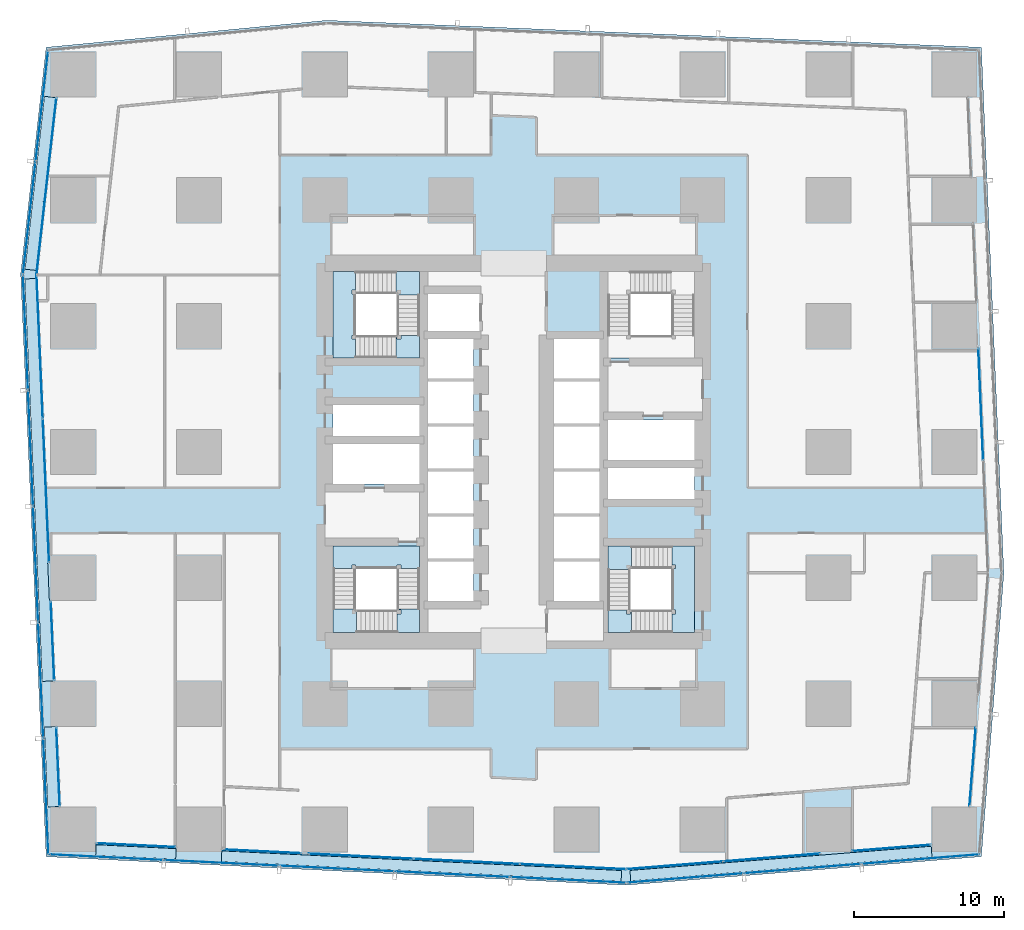
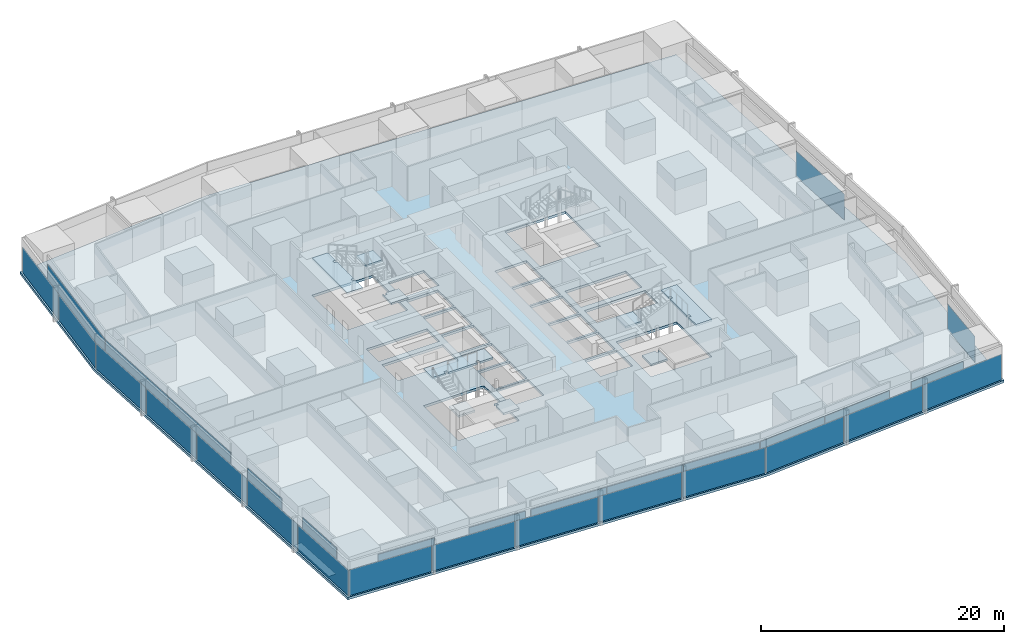
# One storey, part 30 of 45: 36 plates, 10 slabs, 18 elements without a shape of their own.
"""IFC4 building model written with IfcOpenShell, lengths in metres."""

from ifc_helpers import new_model, si_unit, direction, frame, origin, origin_2d, place, context, subcontext, project, spatial, polyline, rectangle, outline, extrude, material, layer, layer_set, type_object, element, aggregate, save


model = new_model("IFC4")

# Units and contexts
model_context = context("Model", 3, precision=1e-05, world=origin(), true_north=direction((0.0, 1.0)))
body_context = subcontext(model_context, "Body", "Model", "MODEL_VIEW")
ifc_project = project(units=[si_unit("LENGTHUNIT", "METRE"), si_unit("AREAUNIT", "SQUARE_METRE"), si_unit("VOLUMEUNIT", "CUBIC_METRE"), si_unit("PLANEANGLEUNIT", "RADIAN"), si_unit("MASSUNIT", "GRAM", prefix="KILO")], contexts=[model_context])

# Site, building, storey
site_placement = place(None, origin())
site = spatial("IfcSite", under=ifc_project, at=site_placement, CompositionType="ELEMENT")
building_placement = place(site_placement, origin())
building = spatial("IfcBuilding", under=site, at=building_placement, Name="Rekha Terrace Tower", CompositionType="ELEMENT")
storey_placement = place(building_placement, frame((0.0, 0.0, 77.89990234375)))
storey = spatial("IfcBuildingStorey", under=building, at=storey_placement, Name="L19", CompositionType="ELEMENT", Elevation=77.89990234375)

# Curtain wall, plate
ifc_material_1 = material(Name="Aluminium framing", Category="aluminium")
curtain_wall_type_1 = type_object("IfcCurtainWallType", Name="CW1 double skin inner glazing", PredefinedType="USERDEFINED", material=ifc_material_1)
curtain_wall_1_placement = place(storey_placement, origin())
curtain_wall_1 = element("IfcCurtainWall", 1, at=curtain_wall_1_placement, inside=storey, type_object=curtain_wall_type_1, Name="CW1 double skin inner glazing", ObjectType="DOUBLE SKIN INNER GLAZING", PredefinedType="USERDEFINED")
ifc_material_2 = material(Name="Double-glazed low-e unit 32", Category="glass")
ifc_layer_1 = layer(ifc_material_2, 0.031982421875)
ifc_layer_set_1 = layer_set([ifc_layer_1], Name="Double-glazed low-e unit 32")
plate_type_1 = type_object("IfcPlateType", Name="CW1 jumbo vision panel, double-glazed low-e unit 32", PredefinedType="CURTAIN_PANEL", material=ifc_layer_set_1)
plate_1_placement = place(storey_placement, frame((12.60009765625, 7.36669921875, 0.0), z_axis=(0.0, 0.0, 1.0), x_axis=(0.998796239974, -0.049051717746, 0.0)))
plate_1 = element("IfcPlate", 2, at=plate_1_placement, type_object=plate_type_1, Name="CW1 panel 1.1", PredefinedType="CURTAIN_PANEL", context=body_context, shape_type="SweptSolid", body=[
    extrude(rectangle(XDim=5.227294921875, YDim=0.031982421875, at=origin_2d()), origin(), (0.0, 0.0, 1.0), 2.60009765625),
])
aggregate(curtain_wall_1, [plate_1])

curtain_wall_2_placement = place(storey_placement, origin())
curtain_wall_2 = element("IfcCurtainWall", 3, at=curtain_wall_2_placement, inside=storey, type_object=curtain_wall_type_1, Name="CW1 double skin inner glazing", ObjectType="DOUBLE SKIN INNER GLAZING", PredefinedType="USERDEFINED")
plate_2_placement = place(storey_placement, frame((21.0, 6.9541015625, 0.0), z_axis=(0.0, 0.0, 1.0), x_axis=(0.998796239974, -0.049051717746, 0.0)))
plate_2 = element("IfcPlate", 4, at=plate_2_placement, type_object=plate_type_1, Name="CW1 panel 1.1", PredefinedType="CURTAIN_PANEL", context=body_context, shape_type="SweptSolid", body=[
    extrude(rectangle(XDim=5.227294921875, YDim=0.031982421875, at=origin_2d()), origin(), (0.0, 0.0, 1.0), 2.60009765625),
])
aggregate(curtain_wall_2, [plate_2])

# Curtain wall, plates
curtain_wall_3_placement = place(storey_placement, origin())
curtain_wall_3 = element("IfcCurtainWall", 5, at=curtain_wall_3_placement, inside=storey, type_object=curtain_wall_type_1, Name="CW1 double skin inner glazing", ObjectType="DOUBLE SKIN INNER GLAZING", PredefinedType="USERDEFINED")
plate_3_placement = place(storey_placement, frame((27.60595703125, 6.629638671875, 0.0), z_axis=(0.0, 0.0, 1.0), x_axis=(0.998796239973, -0.049051717763, 0.0)))
plate_3 = element("IfcPlate", 6, at=plate_3_placement, type_object=plate_type_1, Name="CW1 panel 1.1", PredefinedType="CURTAIN_PANEL", context=body_context, shape_type="SweptSolid", body=[
    extrude(rectangle(XDim=6.98388671875, YDim=0.031982421875, at=origin_2d()), origin(), (0.0, 0.0, 1.0), 2.60009765625),
])
plate_4_placement = place(storey_placement, frame((34.662353515625, 6.283203125, 0.0), z_axis=(0.0, 0.0, 1.0), x_axis=(0.998796239973, -0.049051717763, 0.0)))
plate_4 = element("IfcPlate", 7, at=plate_4_placement, type_object=plate_type_1, Name="CW1 panel 2.1", PredefinedType="CURTAIN_PANEL", context=body_context, shape_type="SweptSolid", body=[
    extrude(rectangle(XDim=7.016357421875, YDim=0.031982421875, at=origin_2d()), origin(), (0.0, 0.0, 1.0), 2.60009765625),
])
plate_5_placement = place(storey_placement, frame((41.75146484375, 5.93505859375, 0.0), z_axis=(0.0, 0.0, 1.0), x_axis=(0.998796239973, -0.049051717763, 0.0)))
plate_5 = element("IfcPlate", 8, at=plate_5_placement, type_object=plate_type_1, Name="CW1 panel 3.1", PredefinedType="CURTAIN_PANEL", context=body_context, shape_type="SweptSolid", body=[
    extrude(rectangle(XDim=7.048828125, YDim=0.031982421875, at=origin_2d()), origin(), (0.0, 0.0, 1.0), 2.60009765625),
])
aggregate(curtain_wall_3, [plate_3, plate_4, plate_5])

curtain_wall_4_placement = place(storey_placement, origin())
curtain_wall_4 = element("IfcCurtainWall", 9, at=curtain_wall_4_placement, inside=storey, type_object=curtain_wall_type_1, Name="CW1 double skin inner glazing", ObjectType="DOUBLE SKIN INNER GLAZING", PredefinedType="USERDEFINED")
plate_6_placement = place(storey_placement, frame((48.53759765625, 6.023681640625, 0.0), z_axis=(0.0, 0.0, 1.0), x_axis=(0.996805111821, 0.079872204468, 0.0)))
plate_6 = element("IfcPlate", 10, at=plate_6_placement, type_object=plate_type_1, Name="CW1 panel 1.1", PredefinedType="CURTAIN_PANEL", context=body_context, shape_type="SweptSolid", body=[
    extrude(rectangle(XDim=6.423095703125, YDim=0.031982421875, at=origin_2d()), origin(), (0.0, 0.0, 1.0), 2.60009765625),
])
plate_7_placement = place(storey_placement, frame((55.0048828125, 6.5419921875, 0.0), z_axis=(0.0, 0.0, 1.0), x_axis=(0.996805111821, 0.079872204468, 0.0)))
plate_7 = element("IfcPlate", 11, at=plate_7_placement, type_object=plate_type_1, Name="CW1 panel 2.1", PredefinedType="CURTAIN_PANEL", context=body_context, shape_type="SweptSolid", body=[
    extrude(rectangle(XDim=6.423095703125, YDim=0.031982421875, at=origin_2d()), origin(), (0.0, 0.0, 1.0), 2.60009765625),
])
aggregate(curtain_wall_4, [plate_6, plate_7])

# Curtain wall, plate
curtain_wall_5_placement = place(storey_placement, origin())
curtain_wall_5 = element("IfcCurtainWall", 12, at=curtain_wall_5_placement, inside=storey, type_object=curtain_wall_type_1, Name="CW1 double skin inner glazing", ObjectType="DOUBLE SKIN INNER GLAZING", PredefinedType="USERDEFINED")
plate_8_placement = place(storey_placement, frame((63.0, 7.1826171875, 0.0), z_axis=(0.0, 0.0, 1.0), x_axis=(0.996805111826, 0.079872204416, 0.0)))
plate_8 = element("IfcPlate", 13, at=plate_8_placement, type_object=plate_type_1, Name="CW1 panel 1.1", PredefinedType="CURTAIN_PANEL", context=body_context, shape_type="SweptSolid", body=[
    extrude(rectangle(XDim=5.232177734375, YDim=0.031982421875, at=origin_2d()), origin(), (0.0, 0.0, 1.0), 2.60009765625),
])
aggregate(curtain_wall_5, [plate_8])

curtain_wall_6_placement = place(storey_placement, origin())
curtain_wall_6 = element("IfcCurtainWall", 14, at=curtain_wall_6_placement, inside=storey, type_object=curtain_wall_type_1, Name="CW1 double skin inner glazing", ObjectType="DOUBLE SKIN INNER GLAZING", PredefinedType="USERDEFINED")
plate_9_placement = place(storey_placement, frame((68.412841796875, 12.60009765625, 0.0), z_axis=(0.0, 0.0, 1.0), x_axis=(0.079116301, 0.996865392576, 0.0)))
plate_9 = element("IfcPlate", 15, at=plate_9_placement, type_object=plate_type_1, Name="CW1 panel 1.1", PredefinedType="CURTAIN_PANEL", context=body_context, shape_type="SweptSolid", body=[
    extrude(rectangle(XDim=5.23193359375, YDim=0.031982421875, at=origin_2d()), origin(), (0.0, 0.0, 1.0), 2.60009765625),
])
aggregate(curtain_wall_6, [plate_9])

curtain_wall_7_placement = place(storey_placement, origin())
curtain_wall_7 = element("IfcCurtainWall", 16, at=curtain_wall_7_placement, inside=storey, type_object=curtain_wall_type_1, Name="CW1 double skin inner glazing", ObjectType="DOUBLE SKIN INNER GLAZING", PredefinedType="USERDEFINED")
plate_10_placement = place(storey_placement, frame((68.95703125, 36.77783203125, 0.0), z_axis=(0.0, 0.0, 1.0), x_axis=(-0.042696072921, 0.999088106904, 0.0)))
plate_10 = element("IfcPlate", 17, at=plate_10_placement, type_object=plate_type_1, Name="CW1 panel 2.1", PredefinedType="CURTAIN_PANEL", context=body_context, shape_type="SweptSolid", body=[
    extrude(rectangle(XDim=7.42578125, YDim=0.031982421875, at=origin_2d()), origin(), (0.0, 0.0, 1.0), 2.60009765625),
])
aggregate(curtain_wall_7, [plate_10])

curtain_wall_8_placement = place(storey_placement, origin())
curtain_wall_8 = element("IfcCurtainWall", 18, at=curtain_wall_8_placement, inside=storey, type_object=curtain_wall_type_1, Name="CW1 double skin inner glazing", ObjectType="DOUBLE SKIN INNER GLAZING", PredefinedType="USERDEFINED")
plate_11_placement = place(storey_placement, frame((6.623779296875, 51.32421875, 0.0), z_axis=(0.0, 0.0, 1.0), x_axis=(-0.111729870748, -0.993738615524, 0.0)))
plate_11 = element("IfcPlate", 19, at=plate_11_placement, type_object=plate_type_1, Name="CW1 panel 1.1", PredefinedType="CURTAIN_PANEL", context=body_context, shape_type="SweptSolid", body=[
    extrude(rectangle(XDim=11.835205078125, YDim=0.031982421875, at=origin_2d()), origin(), (0.0, 0.0, 1.0), 2.60009765625),
])
aggregate(curtain_wall_8, [plate_11])

# Curtain wall, plates
curtain_wall_9_placement = place(storey_placement, origin())
curtain_wall_9 = element("IfcCurtainWall", 20, at=curtain_wall_9_placement, inside=storey, type_object=curtain_wall_type_1, Name="CW1 double skin inner glazing", ObjectType="DOUBLE SKIN INNER GLAZING", PredefinedType="USERDEFINED")
plate_12_placement = place(storey_placement, frame((6.173828125, 40.615478515625, 0.0), z_axis=(0.0, 0.0, 1.0), x_axis=(0.04368254332, -0.999045462133, 0.0)))
plate_12 = element("IfcPlate", 21, at=plate_12_placement, type_object=plate_type_1, Name="CW1 panel 1.1", PredefinedType="CURTAIN_PANEL", context=body_context, shape_type="SweptSolid", body=[
    extrude(rectangle(XDim=9.535888671875, YDim=0.031982421875, at=origin_2d()), origin(), (0.0, 0.0, 1.0), 2.60009765625),
])
plate_13_placement = place(storey_placement, frame((6.593017578125, 31.023681640625, 0.0), z_axis=(0.0, 0.0, 1.0), x_axis=(0.04368254332, -0.999045462133, 0.0)))
plate_13 = element("IfcPlate", 22, at=plate_13_placement, type_object=plate_type_1, Name="CW1 panel 2.1", PredefinedType="CURTAIN_PANEL", context=body_context, shape_type="SweptSolid", body=[
    extrude(rectangle(XDim=9.535888671875, YDim=0.031982421875, at=origin_2d()), origin(), (0.0, 0.0, 1.0), 2.60009765625),
])
aggregate(curtain_wall_9, [plate_12, plate_13])

# Curtain wall, plate
curtain_wall_10_placement = place(storey_placement, origin())
curtain_wall_10 = element("IfcCurtainWall", 23, at=curtain_wall_10_placement, inside=storey, type_object=curtain_wall_type_1, Name="CW1 double skin inner glazing", ObjectType="DOUBLE SKIN INNER GLAZING", PredefinedType="USERDEFINED")
plate_14_placement = place(storey_placement, frame((7.031494140625, 21.0, 0.0), z_axis=(0.0, 0.0, 1.0), x_axis=(0.043682543407, -0.999045462129, 0.0)))
plate_14 = element("IfcPlate", 24, at=plate_14_placement, type_object=plate_type_1, Name="CW1 panel 1.1", PredefinedType="CURTAIN_PANEL", context=body_context, shape_type="SweptSolid", body=[
    extrude(rectangle(XDim=5.226806640625, YDim=0.031982421875, at=origin_2d()), origin(), (0.0, 0.0, 1.0), 2.60009765625),
])
aggregate(curtain_wall_10, [plate_14])

curtain_wall_11_placement = place(storey_placement, origin())
curtain_wall_11 = element("IfcCurtainWall", 25, at=curtain_wall_11_placement, inside=storey, type_object=curtain_wall_type_1, Name="CW1 double skin inner glazing", ObjectType="DOUBLE SKIN INNER GLAZING", PredefinedType="USERDEFINED")
plate_15_placement = place(storey_placement, frame((7.398681640625, 12.60009765625, 0.0), z_axis=(0.0, 0.0, 1.0), x_axis=(0.043682543407, -0.999045462129, 0.0)))
plate_15 = element("IfcPlate", 26, at=plate_15_placement, type_object=plate_type_1, Name="CW1 panel 1.1", PredefinedType="CURTAIN_PANEL", context=body_context, shape_type="SweptSolid", body=[
    extrude(rectangle(XDim=5.226806640625, YDim=0.031982421875, at=origin_2d()), origin(), (0.0, 0.0, 1.0), 2.60009765625),
])
aggregate(curtain_wall_11, [plate_15])

# Curtain wall, plates
curtain_wall_type_2 = type_object("IfcCurtainWallType", Name="CW2 double skin outer glazing", PredefinedType="USERDEFINED", material=ifc_material_1)
curtain_wall_12_placement = place(storey_placement, origin())
curtain_wall_12 = element("IfcCurtainWall", 27, at=curtain_wall_12_placement, inside=storey, type_object=curtain_wall_type_2, Name="CW2 double skin outer glazing", ObjectType="DOUBLE SKIN OUTER GLAZING", PredefinedType="USERDEFINED")
ifc_material_3 = material(Name="Toughened single glazing 12", Category="glass")
ifc_layer_2 = layer(ifc_material_3, 0.011962890625)
ifc_layer_set_2 = layer_set([ifc_layer_2], Name="Toughened single glazing 12")
plate_type_2 = type_object("IfcPlateType", Name="CW2 jumbo vision panel, toughened single glazing 12", PredefinedType="CURTAIN_PANEL", material=ifc_layer_set_2)
plate_16_placement = place(storey_placement, frame((10.626708984375, 6.5625, 0.0), z_axis=(0.0, 0.0, 1.0), x_axis=(0.998796239974, -0.049051717746, 0.0)))
plate_16 = element("IfcPlate", 28, at=plate_16_placement, type_object=plate_type_2, Name="CW2 panel 1.1", PredefinedType="CURTAIN_PANEL", context=body_context, shape_type="SweptSolid", body=[
    extrude(rectangle(XDim=7.595703125, YDim=0.011962890625, at=origin_2d()), origin(), (0.0, 0.0, 1.0), 2.60009765625),
])
plate_17_placement = place(storey_placement, frame((18.31298828125, 6.18505859375, 0.0), z_axis=(0.0, 0.0, 1.0), x_axis=(0.998796239974, -0.049051717746, 0.0)))
plate_17 = element("IfcPlate", 29, at=plate_17_placement, type_object=plate_type_2, Name="CW2 panel 2.1", PredefinedType="CURTAIN_PANEL", context=body_context, shape_type="SweptSolid", body=[
    extrude(rectangle(XDim=7.6357421875, YDim=0.011962890625, at=origin_2d()), origin(), (0.0, 0.0, 1.0), 2.60009765625),
])
plate_18_placement = place(storey_placement, frame((26.01953125, 5.806396484375, 0.0), z_axis=(0.0, 0.0, 1.0), x_axis=(0.998796239974, -0.049051717746, 0.0)))
plate_18 = element("IfcPlate", 30, at=plate_18_placement, type_object=plate_type_2, Name="CW2 panel 3.1", PredefinedType="CURTAIN_PANEL", context=body_context, shape_type="SweptSolid", body=[
    extrude(rectangle(XDim=7.6357421875, YDim=0.011962890625, at=origin_2d()), origin(), (0.0, 0.0, 1.0), 2.60009765625),
])
plate_19_placement = place(storey_placement, frame((33.725830078125, 5.427978515625, 0.0), z_axis=(0.0, 0.0, 1.0), x_axis=(0.998796239974, -0.049051717746, 0.0)))
plate_19 = element("IfcPlate", 31, at=plate_19_placement, type_object=plate_type_2, Name="CW2 panel 4.1", PredefinedType="CURTAIN_PANEL", context=body_context, shape_type="SweptSolid", body=[
    extrude(rectangle(XDim=7.6357421875, YDim=0.011962890625, at=origin_2d()), origin(), (0.0, 0.0, 1.0), 2.60009765625),
])
plate_20_placement = place(storey_placement, frame((41.452392578125, 5.048583984375, 0.0), z_axis=(0.0, 0.0, 1.0), x_axis=(0.998796239974, -0.049051717746, 0.0)))
plate_20 = element("IfcPlate", 32, at=plate_20_placement, type_object=plate_type_2, Name="CW2 panel 5.1", PredefinedType="CURTAIN_PANEL", context=body_context, shape_type="SweptSolid", body=[
    extrude(rectangle(XDim=7.67578125, YDim=0.011962890625, at=origin_2d()), origin(), (0.0, 0.0, 1.0), 2.60009765625),
])
aggregate(curtain_wall_12, [plate_16, plate_17, plate_18, plate_19, plate_20])

curtain_wall_13_placement = place(storey_placement, origin())
curtain_wall_13 = element("IfcCurtainWall", 33, at=curtain_wall_13_placement, inside=storey, type_object=curtain_wall_type_2, Name="CW2 double skin outer glazing", ObjectType="DOUBLE SKIN OUTER GLAZING", PredefinedType="USERDEFINED")
plate_21_placement = place(storey_placement, frame((49.233154296875, 5.176513671875, 0.0), z_axis=(0.0, 0.0, 1.0), x_axis=(0.996805111821, 0.079872204468, 0.0)))
plate_21 = element("IfcPlate", 34, at=plate_21_placement, type_object=plate_type_2, Name="CW2 panel 1.1", PredefinedType="CURTAIN_PANEL", context=body_context, shape_type="SweptSolid", body=[
    extrude(rectangle(XDim=7.760498046875, YDim=0.011962890625, at=origin_2d()), origin(), (0.0, 0.0, 1.0), 2.60009765625),
])
plate_22_placement = place(storey_placement, frame((57.068359375, 5.804443359375, 0.0), z_axis=(0.0, 0.0, 1.0), x_axis=(0.996805111821, 0.079872204468, 0.0)))
plate_22 = element("IfcPlate", 35, at=plate_22_placement, type_object=plate_type_2, Name="CW2 panel 2.1", PredefinedType="CURTAIN_PANEL", context=body_context, shape_type="SweptSolid", body=[
    extrude(rectangle(XDim=7.800537109375, YDim=0.011962890625, at=origin_2d()), origin(), (0.0, 0.0, 1.0), 2.60009765625),
])
plate_23_placement = place(storey_placement, frame((64.943603515625, 6.435546875, 0.0), z_axis=(0.0, 0.0, 1.0), x_axis=(0.996805111821, 0.079872204468, 0.0)))
plate_23 = element("IfcPlate", 36, at=plate_23_placement, type_object=plate_type_2, Name="CW2 panel 3.1", PredefinedType="CURTAIN_PANEL", context=body_context, shape_type="SweptSolid", body=[
    extrude(rectangle(XDim=7.84033203125, YDim=0.011962890625, at=origin_2d()), origin(), (0.0, 0.0, 1.0), 2.60009765625),
])
aggregate(curtain_wall_13, [plate_21, plate_22, plate_23])

curtain_wall_14_placement = place(storey_placement, origin())
curtain_wall_14 = element("IfcCurtainWall", 37, at=curtain_wall_14_placement, inside=storey, type_object=curtain_wall_type_2, Name="CW2 double skin outer glazing", ObjectType="DOUBLE SKIN OUTER GLAZING", PredefinedType="USERDEFINED")
plate_24_placement = place(storey_placement, frame((6.3212890625, 56.688720703125, 0.0), z_axis=(0.0, 0.0, 1.0), x_axis=(-0.111729870782, -0.99373861552, 0.0)))
plate_24 = element("IfcPlate", 38, at=plate_24_placement, type_object=plate_type_2, Name="CW2 panel 1.1", PredefinedType="CURTAIN_PANEL", context=body_context, shape_type="SweptSolid", body=[
    extrude(rectangle(XDim=7.41650390625, YDim=0.011962890625, at=origin_2d()), origin(), (0.0, 0.0, 1.0), 2.60009765625),
])
plate_25_placement = place(storey_placement, frame((5.479248046875, 49.19921875, 0.0), z_axis=(0.0, 0.0, 1.0), x_axis=(-0.111729870782, -0.99373861552, 0.0)))
plate_25 = element("IfcPlate", 39, at=plate_25_placement, type_object=plate_type_2, Name="CW2 panel 2.1", PredefinedType="CURTAIN_PANEL", context=body_context, shape_type="SweptSolid", body=[
    extrude(rectangle(XDim=7.49658203125, YDim=0.011962890625, at=origin_2d()), origin(), (0.0, 0.0, 1.0), 2.60009765625),
])
aggregate(curtain_wall_14, [plate_24, plate_25])

curtain_wall_15_placement = place(storey_placement, origin())
curtain_wall_15 = element("IfcCurtainWall", 40, at=curtain_wall_15_placement, inside=storey, type_object=curtain_wall_type_2, Name="CW2 double skin outer glazing", ObjectType="DOUBLE SKIN OUTER GLAZING", PredefinedType="USERDEFINED")
plate_26_placement = place(storey_placement, frame((5.23046875, 41.582275390625, 0.0), z_axis=(0.0, 0.0, 1.0), x_axis=(0.043682543372, -0.999045462131, 0.0)))
plate_26 = element("IfcPlate", 41, at=plate_26_placement, type_object=plate_type_2, Name="CW2 panel 1.1", PredefinedType="CURTAIN_PANEL", context=body_context, shape_type="SweptSolid", body=[
    extrude(rectangle(XDim=7.6318359375, YDim=0.011962890625, at=origin_2d()), origin(), (0.0, 0.0, 1.0), 2.60009765625),
])
plate_27_placement = place(storey_placement, frame((5.568359375, 33.85791015625, 0.0), z_axis=(0.0, 0.0, 1.0), x_axis=(0.043682543372, -0.999045462131, 0.0)))
plate_27 = element("IfcPlate", 42, at=plate_27_placement, type_object=plate_type_2, Name="CW2 panel 2.1", PredefinedType="CURTAIN_PANEL", context=body_context, shape_type="SweptSolid", body=[
    extrude(rectangle(XDim=7.671875, YDim=0.011962890625, at=origin_2d()), origin(), (0.0, 0.0, 1.0), 2.60009765625),
])
plate_28_placement = place(storey_placement, frame((5.906982421875, 26.113525390625, 0.0), z_axis=(0.0, 0.0, 1.0), x_axis=(0.043682543372, -0.999045462131, 0.0)))
plate_28 = element("IfcPlate", 43, at=plate_28_placement, type_object=plate_type_2, Name="CW2 panel 3.1", PredefinedType="CURTAIN_PANEL", context=body_context, shape_type="SweptSolid", body=[
    extrude(rectangle(XDim=7.671875, YDim=0.011962890625, at=origin_2d()), origin(), (0.0, 0.0, 1.0), 2.60009765625),
])
plate_29_placement = place(storey_placement, frame((6.24560546875, 18.369140625, 0.0), z_axis=(0.0, 0.0, 1.0), x_axis=(0.043682543372, -0.999045462131, 0.0)))
plate_29 = element("IfcPlate", 44, at=plate_29_placement, type_object=plate_type_2, Name="CW2 panel 4.1", PredefinedType="CURTAIN_PANEL", context=body_context, shape_type="SweptSolid", body=[
    extrude(rectangle(XDim=7.671875, YDim=0.011962890625, at=origin_2d()), origin(), (0.0, 0.0, 1.0), 2.60009765625),
])
plate_30_placement = place(storey_placement, frame((6.5849609375, 10.60498046875, 0.0), z_axis=(0.0, 0.0, 1.0), x_axis=(0.043682543372, -0.999045462131, 0.0)))
plate_30 = element("IfcPlate", 45, at=plate_30_placement, type_object=plate_type_2, Name="CW2 panel 5.1", PredefinedType="CURTAIN_PANEL", context=body_context, shape_type="SweptSolid", body=[
    extrude(rectangle(XDim=7.711669921875, YDim=0.011962890625, at=origin_2d()), origin(), (0.0, 0.0, 1.0), 2.60009765625),
])
aggregate(curtain_wall_15, [plate_26, plate_27, plate_28, plate_29, plate_30])

# Plates
ifc_material_4 = material(Name="Galvanised steel open grating", Category="steel")
ifc_layer_3 = layer(ifc_material_4, 0.050048828125)
ifc_layer_set_3 = layer_set([ifc_layer_3], Name="Galvanised steel open grating")
plate_type_3 = type_object("IfcPlateType", Name="GT1 cavity walkway grating 50", PredefinedType="USERDEFINED", material=ifc_layer_set_3)
plate_31_placement = place(storey_placement, frame((12.594482421875, 6.916259765625, 0.0), z_axis=(0.0, 0.0, 1.0), x_axis=(0.998796239974, -0.049051717746, 0.0)))
element("IfcPlate", 46, at=plate_31_placement, inside=storey, type_object=plate_type_3, Name="Cavity walkway grating", ObjectType="CAVITY WALKWAY GRATING", PredefinedType="USERDEFINED", context=body_context, shape_type="SweptSolid", body=[
    extrude(rectangle(XDim=5.3408203125, YDim=0.705078125, at=origin_2d()), origin(), (0.0, 0.0, 1.0), 0.050048828125),
])
plate_32_placement = place(storey_placement, frame((31.64306640625, 5.98095703125, 0.0), z_axis=(0.0, 0.0, 1.0), x_axis=(0.998796239974, -0.049051717746, 0.0)))
element("IfcPlate", 47, at=plate_32_placement, inside=storey, type_object=plate_type_3, Name="Cavity walkway grating", ObjectType="CAVITY WALKWAY GRATING", PredefinedType="USERDEFINED", context=body_context, shape_type="SweptSolid", body=[
    extrude(rectangle(XDim=26.7041015625, YDim=0.705078125, at=origin_2d()), origin(), (0.0, 0.0, 1.0), 0.050048828125),
])
plate_33_placement = place(storey_placement, frame((55.626953125, 6.140380859375, 0.0), z_axis=(0.0, 0.0, 1.0), x_axis=(0.996805111821, 0.079872204468, 0.0)))
element("IfcPlate", 48, at=plate_33_placement, inside=storey, type_object=plate_type_3, Name="Cavity walkway grating", ObjectType="CAVITY WALKWAY GRATING", PredefinedType="USERDEFINED", context=body_context, shape_type="SweptSolid", body=[
    extrude(rectangle(XDim=20.1630859375, YDim=0.705078125, at=origin_2d()), origin(), (0.0, 0.0, 1.0), 0.050048828125),
])
plate_34_placement = place(storey_placement, frame((6.193115234375, 51.52197265625, 0.0), z_axis=(0.0, 0.0, 1.0), x_axis=(-0.1117298708, -0.993738615518, 0.0)))
element("IfcPlate", 49, at=plate_34_placement, inside=storey, type_object=plate_type_3, Name="Cavity walkway grating", ObjectType="CAVITY WALKWAY GRATING", PredefinedType="USERDEFINED", context=body_context, shape_type="SweptSolid", body=[
    extrude(rectangle(XDim=11.601806640625, YDim=0.705078125, at=origin_2d()), origin(), (0.0, 0.0, 1.0), 0.050048828125),
])
plate_35_placement = place(storey_placement, frame((6.111572265625, 31.7353515625, 0.0), z_axis=(0.0, 0.0, 1.0), x_axis=(0.043682543355, -0.999045462132, 0.0)))
element("IfcPlate", 50, at=plate_35_placement, inside=storey, type_object=plate_type_3, Name="Cavity walkway grating", ObjectType="CAVITY WALKWAY GRATING", PredefinedType="USERDEFINED", context=body_context, shape_type="SweptSolid", body=[
    extrude(rectangle(XDim=26.873779296875, YDim=0.705078125, at=origin_2d()), origin(), (0.0, 0.0, 1.0), 0.050048828125),
])
plate_36_placement = place(storey_placement, frame((6.948486328125, 12.595458984375, 0.0), z_axis=(0.0, 0.0, 1.0), x_axis=(0.043682543355, -0.999045462132, 0.0)))
element("IfcPlate", 51, at=plate_36_placement, inside=storey, type_object=plate_type_3, Name="Cavity walkway grating", ObjectType="CAVITY WALKWAY GRATING", PredefinedType="USERDEFINED", context=body_context, shape_type="SweptSolid", body=[
    extrude(rectangle(XDim=5.341552734375, YDim=0.705078125, at=origin_2d()), origin(), (0.0, 0.0, 1.0), 0.050048828125),
])

# Stair, slabs
ifc_material_5 = material(Name="Concrete M40", Category="concrete")
stair_type = type_object("IfcStairType", Name="ST30 stair, 30 risers of 125, going 300, 1500 wide flights, 3 flights", PredefinedType="HALF_TURN_STAIR", material=ifc_material_5)
stair_1_placement = place(storey_placement, origin())
stair_1 = element("IfcStair", 52, at=stair_1_placement, inside=storey, type_object=stair_type, Name="Stair ST1 L19 to L20", PredefinedType="HALF_TURN_STAIR")
ifc_layer_4 = layer(ifc_material_5, 0.199951171875)
ifc_layer_set_4 = layer_set([ifc_layer_4], Name="Concrete M40")
slab_type_1 = type_object("IfcSlabType", Name="LD1 200 concrete stair landing", PredefinedType="LANDING", material=ifc_layer_set_4)
slab_1_placement = place(storey_placement, frame((0.0, 0.0, 1.050048828125)))
slab_1 = element("IfcSlab", 53, at=slab_1_placement, type_object=slab_type_1, Name="ST1 landing 1", PredefinedType="LANDING", context=body_context, shape_type="SweptSolid", body=[
    extrude(outline(polyline([(30.02490234375, 21.550048828125), (31.52490234375, 21.550048828125), (31.52490234375, 23.125), (30.02490234375, 23.125), (30.02490234375, 23.050048828125), (30.27490234375, 23.050048828125), (30.27490234375, 22.800048828125), (30.02490234375, 22.800048828125), (30.02490234375, 21.550048828125)])), origin(), (0.0, 0.0, 1.0), 0.199951171875),
])
slab_2_placement = place(storey_placement, frame((0.0, 0.0, 2.300048828125)))
slab_2 = element("IfcSlab", 54, at=slab_2_placement, type_object=slab_type_1, Name="ST1 landing 2", PredefinedType="LANDING", context=body_context, shape_type="SweptSolid", body=[
    extrude(outline(polyline([(27.25, 23.125), (25.75, 23.125), (25.75, 21.550048828125), (27.324951171875, 21.550048828125), (27.324951171875, 23.050048828125), (27.25, 23.050048828125), (27.25, 23.125)])), origin(), (0.0, 0.0, 1.0), 0.199951171875),
])
slab_3_placement = place(storey_placement, frame((0.0, 0.0, 3.550048828125)))
slab_3 = element("IfcSlab", 55, at=slab_3_placement, type_object=slab_type_1, Name="ST1 landing 3", PredefinedType="LANDING", context=body_context, shape_type="SweptSolid", body=[
    extrude(outline(polyline([(31.52490234375, 25.824951171875), (31.52490234375, 27.324951171875), (25.75, 27.324951171875), (25.75, 25.824951171875), (27.0, 25.824951171875), (27.0, 26.074951171875), (27.25, 26.074951171875), (27.25, 25.824951171875), (30.02490234375, 25.824951171875), (30.02490234375, 26.074951171875), (30.27490234375, 26.074951171875), (30.27490234375, 25.824951171875), (31.52490234375, 25.824951171875)])), origin(), (0.0, 0.0, 1.0), 0.199951171875),
])
aggregate(stair_1, [slab_1, slab_2, slab_3])

stair_2_placement = place(storey_placement, origin())
stair_2 = element("IfcStair", 56, at=stair_2_placement, inside=storey, type_object=stair_type, Name="Stair ST3 L19 to L20", PredefinedType="HALF_TURN_STAIR")
slab_4_placement = place(storey_placement, frame((0.0, 0.0, 1.050048828125)))
slab_4 = element("IfcSlab", 57, at=slab_4_placement, type_object=slab_type_1, Name="ST3 landing 1", PredefinedType="LANDING", context=body_context, shape_type="SweptSolid", body=[
    extrude(outline(polyline([(44.074951171875, 23.050048828125), (44.074951171875, 21.550048828125), (45.64990234375, 21.550048828125), (45.64990234375, 23.050048828125), (45.574951171875, 23.050048828125), (45.574951171875, 22.800048828125), (45.324951171875, 22.800048828125), (45.324951171875, 23.050048828125), (44.074951171875, 23.050048828125)])), origin(), (0.0, 0.0, 1.0), 0.199951171875),
])
slab_5_placement = place(storey_placement, frame((0.0, 0.0, 2.300048828125)))
slab_5 = element("IfcSlab", 58, at=slab_5_placement, type_object=slab_type_1, Name="ST3 landing 2", PredefinedType="LANDING", context=body_context, shape_type="SweptSolid", body=[
    extrude(outline(polyline([(45.64990234375, 25.824951171875), (45.64990234375, 27.324951171875), (44.074951171875, 27.324951171875), (44.074951171875, 25.75), (45.574951171875, 25.75), (45.574951171875, 25.824951171875), (45.64990234375, 25.824951171875)])), origin(), (0.0, 0.0, 1.0), 0.199951171875),
])
slab_6_placement = place(storey_placement, frame((0.0, 0.0, 3.550048828125)))
slab_6 = element("IfcSlab", 59, at=slab_6_placement, type_object=slab_type_1, Name="ST3 landing 3", PredefinedType="LANDING", context=body_context, shape_type="SweptSolid", body=[
    extrude(outline(polyline([(48.35009765625, 21.550048828125), (49.85009765625, 21.550048828125), (49.85009765625, 27.324951171875), (48.35009765625, 27.324951171875), (48.35009765625, 26.074951171875), (48.60009765625, 26.074951171875), (48.60009765625, 25.824951171875), (48.35009765625, 25.824951171875), (48.35009765625, 23.050048828125), (48.60009765625, 23.050048828125), (48.60009765625, 22.800048828125), (48.35009765625, 22.800048828125), (48.35009765625, 21.550048828125)])), origin(), (0.0, 0.0, 1.0), 0.199951171875),
])
aggregate(stair_2, [slab_4, slab_5, slab_6])

stair_3_placement = place(storey_placement, origin())
stair_3 = element("IfcStair", 60, at=stair_3_placement, inside=storey, type_object=stair_type, Name="Stair ST4 L19 to L20", PredefinedType="HALF_TURN_STAIR")
slab_7_placement = place(storey_placement, frame((0.0, 0.0, 1.050048828125)))
slab_7 = element("IfcSlab", 61, at=slab_7_placement, type_object=slab_type_1, Name="ST4 landing 1", PredefinedType="LANDING", context=body_context, shape_type="SweptSolid", body=[
    extrude(outline(polyline([(31.52490234375, 41.375), (31.52490234375, 39.875), (29.949951171875, 39.875), (29.949951171875, 41.375), (30.02490234375, 41.375), (30.02490234375, 41.125), (30.27490234375, 41.125), (30.27490234375, 41.375), (31.52490234375, 41.375)])), origin(), (0.0, 0.0, 1.0), 0.199951171875),
])
slab_8_placement = place(storey_placement, frame((0.0, 0.0, 2.300048828125)))
slab_8 = element("IfcSlab", 62, at=slab_8_placement, type_object=slab_type_1, Name="ST4 landing 2", PredefinedType="LANDING", context=body_context, shape_type="SweptSolid", body=[
    extrude(outline(polyline([(29.949951171875, 44.14990234375), (29.949951171875, 45.64990234375), (31.52490234375, 45.64990234375), (31.52490234375, 44.074951171875), (30.02490234375, 44.074951171875), (30.02490234375, 44.14990234375), (29.949951171875, 44.14990234375)])), origin(), (0.0, 0.0, 1.0), 0.199951171875),
])
slab_9_placement = place(storey_placement, frame((0.0, 0.0, 3.550048828125)))
slab_9 = element("IfcSlab", 63, at=slab_9_placement, type_object=slab_type_1, Name="ST4 landing 3", PredefinedType="LANDING", context=body_context, shape_type="SweptSolid", body=[
    extrude(outline(polyline([(27.25, 39.875), (25.75, 39.875), (25.75, 45.64990234375), (27.25, 45.64990234375), (27.25, 44.39990234375), (27.0, 44.39990234375), (27.0, 44.14990234375), (27.25, 44.14990234375), (27.25, 41.375), (27.0, 41.375), (27.0, 41.125), (27.25, 41.125), (27.25, 39.875)])), origin(), (0.0, 0.0, 1.0), 0.199951171875),
])
aggregate(stair_3, [slab_7, slab_8, slab_9])

# Slab
ifc_material_6 = material(Name="Concrete M50", Category="concrete")
ifc_layer_5 = layer(ifc_material_6, 0.25)
ifc_layer_set_5 = layer_set([ifc_layer_5], Name="Concrete M50")
slab_type_2 = type_object("IfcSlabType", Name="SL4 250 post-tensioned flat plate", PredefinedType="FLOOR", material=ifc_layer_set_5)
slab_10_placement = place(storey_placement, frame((0.0, 0.0, -0.25)))
element("IfcSlab", 64, at=slab_10_placement, inside=storey, type_object=slab_type_2, Name="Post-tensioned flat plate L19", PredefinedType="FLOOR", context=body_context, shape_type="SweptSolid", body=[
    extrude(outline(polyline([(4.89990234375, 45.47998046875), (6.60009765625, 6.60009765625), (45.2880859375, 4.699951171875), (69.0, 6.60009765625), (70.5, 25.5), (69.0, 60.60009765625), (25.320068359375, 62.39990234375), (6.60009765625, 60.60009765625), (4.89990234375, 45.47998046875)]), holes=[polyline([(31.52490234375, 27.324951171875), (31.52490234375, 21.550048828125), (25.75, 21.550048828125), (25.75, 27.324951171875), (31.52490234375, 27.324951171875)]), polyline([(35.10009765625, 26.300048828125), (35.10009765625, 23.675048828125), (32.074951171875, 23.675048828125), (32.074951171875, 26.300048828125), (35.10009765625, 26.300048828125)]), polyline([(35.10009765625, 29.300048828125), (35.10009765625, 26.5), (32.074951171875, 26.5), (32.074951171875, 29.300048828125), (35.10009765625, 29.300048828125)]), polyline([(35.10009765625, 29.5), (32.074951171875, 29.5), (32.074951171875, 32.300048828125), (35.10009765625, 32.300048828125), (35.10009765625, 29.5)]), polyline([(31.52490234375, 31.47509765625), (25.75, 31.47509765625), (25.75, 34.125), (31.52490234375, 34.125), (31.52490234375, 31.47509765625)]), polyline([(35.10009765625, 35.300048828125), (35.10009765625, 32.5), (32.074951171875, 32.5), (32.074951171875, 35.300048828125), (35.10009765625, 35.300048828125)]), polyline([(31.52490234375, 36.72509765625), (31.52490234375, 34.675048828125), (25.75, 34.675048828125), (25.75, 36.72509765625), (31.52490234375, 36.72509765625)]), polyline([(35.10009765625, 38.300048828125), (35.10009765625, 35.5), (32.074951171875, 35.5), (32.074951171875, 38.300048828125), (35.10009765625, 38.300048828125)]), polyline([(35.10009765625, 38.5), (32.074951171875, 38.5), (32.074951171875, 41.125), (35.10009765625, 41.125), (35.10009765625, 38.5)]), polyline([(31.52490234375, 39.875), (25.75, 39.875), (25.75, 45.64990234375), (31.52490234375, 45.64990234375), (31.52490234375, 39.875)]), polyline([(35.5, 44.125), (35.5, 41.675048828125), (32.074951171875, 41.675048828125), (32.074951171875, 44.125), (35.5, 44.125)]), polyline([(49.85009765625, 27.324951171875), (49.85009765625, 21.550048828125), (44.074951171875, 21.550048828125), (44.074951171875, 27.324951171875), (49.85009765625, 27.324951171875)]), polyline([(43.52490234375, 26.300048828125), (43.52490234375, 23.675048828125), (40.5, 23.675048828125), (40.5, 26.300048828125), (43.52490234375, 26.300048828125)]), polyline([(43.52490234375, 26.5), (40.5, 26.5), (40.5, 29.300048828125), (43.52490234375, 29.300048828125), (43.52490234375, 26.5)]), polyline([(43.52490234375, 29.5), (40.5, 29.5), (40.5, 32.300048828125), (43.52490234375, 32.300048828125), (43.52490234375, 29.5)]), polyline([(49.85009765625, 32.52490234375), (49.85009765625, 30.47509765625), (44.074951171875, 30.47509765625), (44.074951171875, 32.52490234375), (49.85009765625, 32.52490234375)]), polyline([(43.52490234375, 32.5), (40.5, 32.5), (40.5, 35.300048828125), (43.52490234375, 35.300048828125), (43.52490234375, 32.5)]), polyline([(49.85009765625, 33.074951171875), (44.074951171875, 33.074951171875), (44.074951171875, 35.72509765625), (49.85009765625, 35.72509765625), (49.85009765625, 33.074951171875)]), polyline([(43.52490234375, 38.300048828125), (43.52490234375, 35.5), (40.5, 35.5), (40.5, 38.300048828125), (43.52490234375, 38.300048828125)]), polyline([(43.52490234375, 38.5), (40.5, 38.5), (40.5, 41.125), (43.52490234375, 41.125), (43.52490234375, 38.5)]), polyline([(49.85009765625, 39.875), (44.074951171875, 39.875), (44.074951171875, 45.64990234375), (49.85009765625, 45.64990234375), (49.85009765625, 39.875)])]), origin(), (0.0, 0.0, 1.0), 0.25),
])

save(model, "model.ifc")
